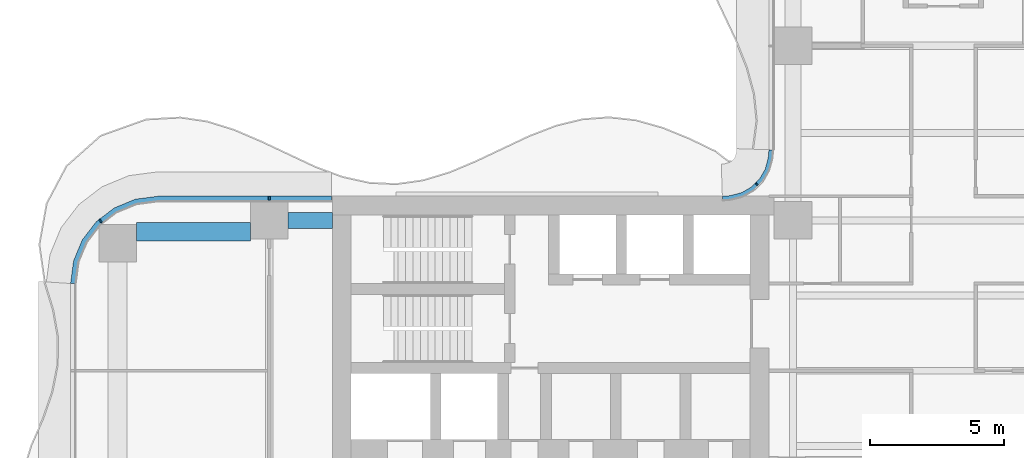
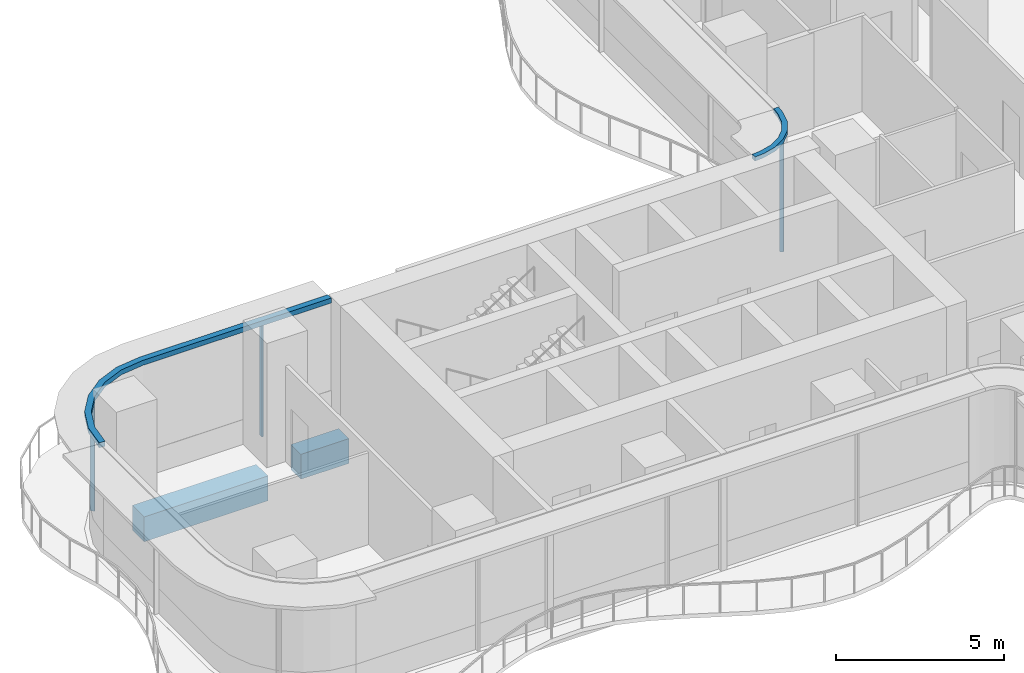
# One storey, part 8 of 22: 5 members, 2 beams, 2 elements without a shape of their own.
"""IFC4 building model written with IfcOpenShell, lengths in metres."""

from ifc_helpers import new_model, si_unit, direction, frame, origin, origin_2d, place, context, subcontext, project, spatial, polyline, rectangle, outline, extrude, source, transform, mapped, material, layer, layer_set, material_profile, profile_set, type_object, element, aggregate, save


model = new_model("IFC4")

# Units and contexts
model_context = context("Model", 3, precision=1e-05, world=origin(), true_north=direction((0.0, 1.0)))
body_context = subcontext(model_context, "Body", "Model", "MODEL_VIEW")
ifc_project = project(units=[si_unit("LENGTHUNIT", "METRE"), si_unit("AREAUNIT", "SQUARE_METRE"), si_unit("VOLUMEUNIT", "CUBIC_METRE"), si_unit("PLANEANGLEUNIT", "RADIAN"), si_unit("MASSUNIT", "GRAM", prefix="KILO")], contexts=[model_context])

# Site, building, storey
site_placement = place(None, origin())
site = spatial("IfcSite", under=ifc_project, at=site_placement, CompositionType="ELEMENT")
building_placement = place(site_placement, origin())
building = spatial("IfcBuilding", under=site, at=building_placement, Name="Trellis Farm Tower", CompositionType="ELEMENT")
storey_placement = place(building_placement, frame((0.0, 0.0, 70.0)))
storey = spatial("IfcBuildingStorey", under=building, at=storey_placement, Name="L14", CompositionType="ELEMENT", Elevation=70.0)

# Beams
ifc_material_1 = material(Name="Concrete C60/75", Category="concrete")
ifc_material_profile_1 = material_profile(ifc_material_1, rectangle(XDim=0.699951171875, YDim=0.89990234375, at=origin_2d()), Name="RC spandrel beam 700x900 C60/75")
ifc_profile_set_1 = profile_set([ifc_material_profile_1], Name="Concrete C60/75")
beam_type_1 = type_object("IfcBeamType", Name="RC spandrel beam 700x900 C60/75", PredefinedType="SPANDREL", material=ifc_profile_set_1)
shared_shape_1 = source(origin(), body_context, "Body", "SweptSolid", [
    extrude(rectangle(XDim=0.699951171875, YDim=0.89990234375, at=origin_2d()), origin(), (0.0, 0.0, 1.0), 4.25),
])
beam_1_placement = place(storey_placement, frame((-30.050048828125, 5.175048828125, -0.699951171875), z_axis=(1.0, 0.0, 0.0), x_axis=(0.0, 1.0, 0.0)))
element("IfcBeam", 1, at=beam_1_placement, inside=storey, type_object=beam_type_1, Name="Girder", PredefinedType="SPANDREL", context=body_context, shape_type="MappedRepresentation", body=[
    mapped(shared_shape_1, transform((0.0, 0.0, 0.0))),
])
ifc_material_profile_2 = material_profile(ifc_material_1, rectangle(XDim=0.60009765625, YDim=0.89990234375, at=origin_2d()), Name="RC spandrel beam 600x900 C60/75")
ifc_profile_set_2 = profile_set([ifc_material_profile_2], Name="Concrete C60/75")
beam_type_2 = type_object("IfcBeamType", Name="RC spandrel beam 600x900 C60/75", PredefinedType="SPANDREL", material=ifc_profile_set_2)
shared_shape_2 = source(origin(), body_context, "Body", "SweptSolid", [
    extrude(rectangle(XDim=0.60009765625, YDim=0.89990234375, at=origin_2d()), origin(), (0.0, 0.0, 1.0), 1.64990234375),
])
beam_2_placement = place(storey_placement, frame((-24.39990234375, 5.60009765625, -0.699951171875), z_axis=(1.0, 0.0, 0.0), x_axis=(0.0, 1.0, 0.0)))
element("IfcBeam", 2, at=beam_2_placement, inside=storey, type_object=beam_type_2, Name="Girder", PredefinedType="SPANDREL", context=body_context, shape_type="MappedRepresentation", body=[
    mapped(shared_shape_2, transform((0.0, 0.0, 0.0))),
])

# Curtain wall, members
ifc_material_2 = material(Name="Aluminium and glass curtain wall", Category="aluminium")
ifc_layer_1 = layer(ifc_material_2, 0.18994140625)
ifc_layer_set_1 = layer_set([ifc_layer_1], Name="RIBBON CURTAIN WALL CW1")
curtain_wall_type_1 = type_object("IfcCurtainWallType", Name="RIBBON CURTAIN WALL CW1", PredefinedType="NOTDEFINED", material=ifc_layer_set_1)
placement = place(storey_placement, origin())
curtain_wall_1 = element("IfcCurtainWall", 3, at=placement, inside=storey, type_object=curtain_wall_type_1, Name="CW1 013", PredefinedType="NOTDEFINED")
ifc_material_3 = material(Name="Aluminium extrusion 6063-T6", Category="aluminium")
ifc_material_profile_3 = material_profile(ifc_material_3, rectangle(XDim=0.06005859375, YDim=0.14990234375, at=origin_2d()), Name="MULLION 60x150")
ifc_profile_set_3 = profile_set([ifc_material_profile_3], Name="Aluminium extrusion 6063-T6")
member_type_1 = type_object("IfcMemberType", Name="CW1 MULLION 60x150", PredefinedType="MULLION", material=ifc_profile_set_3)
shared_shape_3 = source(origin(), body_context, "Body", "SweptSolid", [
    extrude(rectangle(XDim=0.06005859375, YDim=0.14990234375, at=origin_2d()), origin(), (0.0, 0.0, 1.0), 4.070068359375),
])
member_1_placement = place(storey_placement, frame((-25.10009765625, 6.425048828125, 0.0), z_axis=(0.0, 0.0, 1.0), x_axis=(-1.0, 0.0, 0.0)))
member_1 = element("IfcMember", 4, at=member_1_placement, type_object=member_type_1, Name="MU1 013-01", PredefinedType="MULLION", context=body_context, shape_type="MappedRepresentation", body=[
    mapped(shared_shape_3, transform((0.0, 0.0, 0.0))),
])
member_2_placement = place(storey_placement, frame((-31.385498046875, 5.578369140625, 0.0), z_axis=(0.0, 0.0, 1.0), x_axis=(-0.793353340291, -0.608761429009, 0.0)))
member_2 = element("IfcMember", 5, at=member_2_placement, type_object=member_type_1, Name="MU1 013-02", PredefinedType="MULLION", context=body_context, shape_type="MappedRepresentation", body=[
    mapped(shared_shape_3, transform((0.0, 0.0, 0.0))),
])

ifc_layer_2 = layer(ifc_material_2, 0.166015625)
ifc_layer_set_2 = layer_set([ifc_layer_2], Name="WINTER GARDEN CURTAIN WALL CW3")
curtain_wall_type_2 = type_object("IfcCurtainWallType", Name="WINTER GARDEN CURTAIN WALL CW3", PredefinedType="NOTDEFINED", material=ifc_layer_set_2)
curtain_wall_2 = element("IfcCurtainWall", 6, at=placement, inside=storey, type_object=curtain_wall_type_2, Name="CW3 004", PredefinedType="NOTDEFINED")
ifc_material_profile_4 = material_profile(ifc_material_3, rectangle(XDim=0.050048828125, YDim=0.1201171875, at=origin_2d()), Name="MULLION 50x120")
ifc_profile_set_4 = profile_set([ifc_material_profile_4], Name="Aluminium extrusion 6063-T6")
member_type_2 = type_object("IfcMemberType", Name="CW3 MULLION 50x120", PredefinedType="MULLION", material=ifc_profile_set_4)
shared_shape_4 = source(origin(), body_context, "Body", "SweptSolid", [
    extrude(rectangle(XDim=0.050048828125, YDim=0.1201171875, at=origin_2d()), origin(), (0.0, 0.0, 1.0), 4.10009765625),
])
member_3_placement = place(storey_placement, frame((-6.953125, 6.953125, 0.0), z_axis=(0.0, 0.0, 1.0), x_axis=(-0.707106781187, -0.707106781187, 0.0)))
member_3 = element("IfcMember", 7, at=member_3_placement, type_object=member_type_2, Name="MU3 004-01", PredefinedType="MULLION", context=body_context, shape_type="MappedRepresentation", body=[
    mapped(shared_shape_4, transform((0.0, 0.0, 0.0))),
])
ifc_layer_3 = layer(ifc_material_3, 0.169921875)
ifc_layer_set_3 = layer_set([ifc_layer_3], Name="Aluminium extrusion 6063-T6")
member_type_3 = type_object("IfcMemberType", Name="CW3 TRANSOM 170x150", PredefinedType="USERDEFINED", material=ifc_layer_set_3)
shared_shape_5 = source(origin(), body_context, "Body", "SweptSolid", [
    extrude(outline(polyline([(-6.5, 8.2314453125), (-6.513916015625, 8.01953125), (-6.527587890625, 7.91552734375), (-6.63671875, 7.508544921875), (-6.846923828125, 7.144287109375), (-7.144287109375, 6.846923828125), (-7.508544921875, 6.63671875), (-7.91552734375, 6.527587890625), (-8.01953125, 6.513916015625), (-8.2314453125, 6.5), (-8.225830078125, 6.330078125), (-8.0029296875, 6.3447265625), (-7.88232421875, 6.360595703125), (-7.44287109375, 6.478271484375), (-7.0400390625, 6.7109375), (-6.7109375, 7.0400390625), (-6.478271484375, 7.44287109375), (-6.360595703125, 7.88232421875), (-6.3447265625, 8.0029296875), (-6.330078125, 8.225830078125), (-6.5, 8.2314453125)])), origin(), (0.0, 0.0, 1.0), 0.14990234375),
])
member_4_placement = place(storey_placement, frame((0.0, 0.0, 4.10009765625)))
member_4 = element("IfcMember", 8, at=member_4_placement, type_object=member_type_3, Name="TR3 004", ObjectType="TRANSOM", PredefinedType="USERDEFINED", context=body_context, shape_type="MappedRepresentation", body=[
    mapped(shared_shape_5, transform((0.0, 0.0, 0.0))),
])
aggregate(curtain_wall_2, [member_3, member_4])

# Member
ifc_layer_4 = layer(ifc_material_3, 0.199951171875)
ifc_layer_set_4 = layer_set([ifc_layer_4], Name="Aluminium extrusion 6063-T6")
member_type_4 = type_object("IfcMemberType", Name="CW1 TRANSOM 200x180", PredefinedType="USERDEFINED", material=ifc_layer_set_4)
shared_shape_6 = source(origin(), body_context, "Body", "SweptSolid", [
    extrude(outline(polyline([(-22.780029296875, 6.5), (-29.25, 6.5), (-30.091064453125, 6.38916015625), (-30.875, 6.064697265625), (-31.548095703125, 5.548095703125), (-32.064697265625, 4.875), (-32.38916015625, 4.091064453125), (-32.5, 3.25), (-32.300048828125, 3.23681640625), (-32.1943359375, 4.0390625), (-31.889892578125, 4.774169921875), (-31.405517578125, 5.405517578125), (-30.774169921875, 5.889892578125), (-30.0390625, 6.1943359375), (-29.23681640625, 6.300048828125), (-22.780029296875, 6.300048828125), (-22.780029296875, 6.5)])), origin(), (0.0, 0.0, 1.0), 0.179931640625),
])
member_5_placement = place(storey_placement, frame((0.0, 0.0, 4.070068359375)))
member_5 = element("IfcMember", 9, at=member_5_placement, type_object=member_type_4, Name="TR1 013", ObjectType="TRANSOM", PredefinedType="USERDEFINED", context=body_context, shape_type="MappedRepresentation", body=[
    mapped(shared_shape_6, transform((0.0, 0.0, 0.0))),
])

aggregate(curtain_wall_1, [member_1, member_2, member_5])

save(model, "model.ifc")
